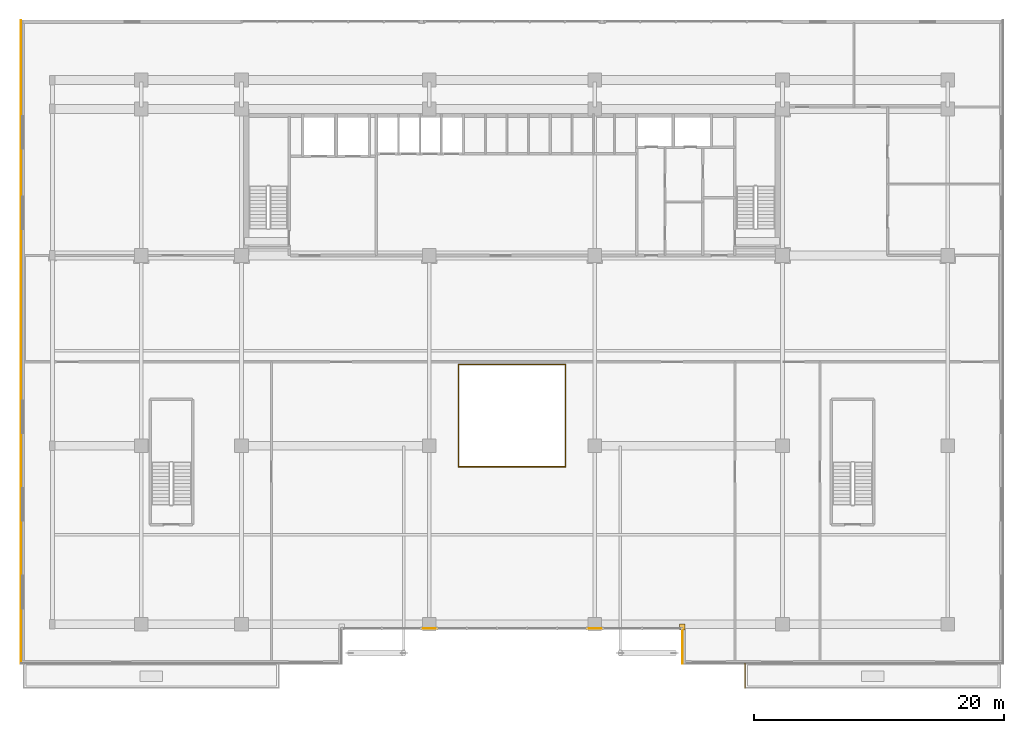
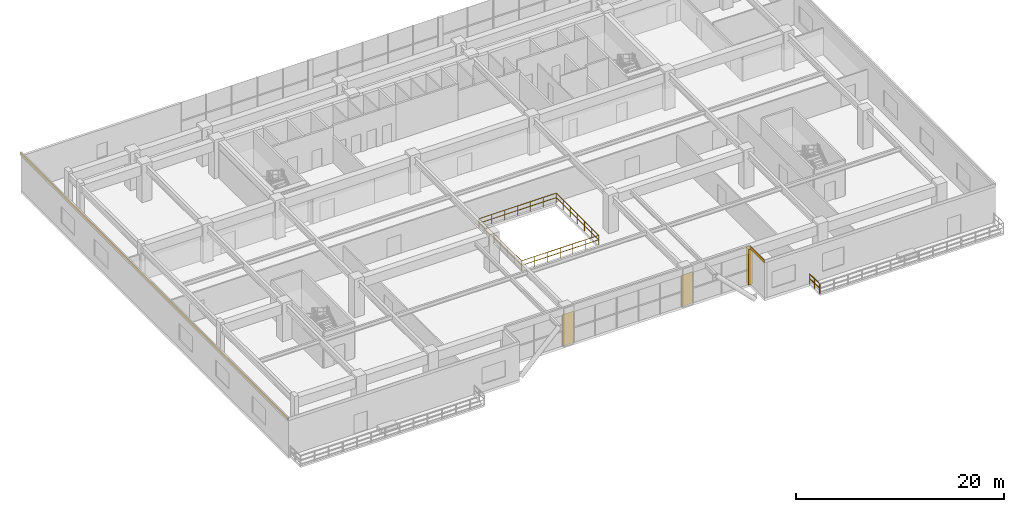
# One storey, part 20 of 24: 5 coverings, 5 railings.
"""IFC4 building model written with IfcOpenShell, lengths in metres."""

from ifc_helpers import new_model, si_unit, direction, frame, origin, origin_2d, place, context, subcontext, project, spatial, rectangle, extrude, source, transform, mapped, material, layer, layer_set, type_object, element, save


model = new_model("IFC4")

# Units and contexts
model_context = context("Model", 3, precision=1e-05, world=origin(), true_north=direction((0.0, 1.0)))
body_context = subcontext(model_context, "Body", "Model", "MODEL_VIEW")
ifc_project = project(units=[si_unit("LENGTHUNIT", "METRE"), si_unit("AREAUNIT", "SQUARE_METRE"), si_unit("VOLUMEUNIT", "CUBIC_METRE"), si_unit("PLANEANGLEUNIT", "RADIAN"), si_unit("MASSUNIT", "GRAM", prefix="KILO")], contexts=[model_context])

# Site, building, storey
site_placement = place(None, origin())
site = spatial("IfcSite", under=ifc_project, at=site_placement, CompositionType="ELEMENT")
building_placement = place(site_placement, origin())
building = spatial("IfcBuilding", under=site, at=building_placement, Name="Trelvane Seafront Commons", CompositionType="ELEMENT")
storey_placement = place(building_placement, frame((0.0, 0.0, 9.699951171875)))
storey = spatial("IfcBuildingStorey", under=building, at=storey_placement, Name="L02", CompositionType="ELEMENT", Elevation=9.699951171875)

# Railings
ifc_material_1 = material(Name="Stainless steel balustrade", Category="steel")
railing_type = type_object("IfcRailingType", Name="ARCH-RAIL-BAL1150", PredefinedType="BALUSTRADE", material=ifc_material_1)
railing_1_placement = place(storey_placement, frame((55.800048828125, 0.800048828125, 0.0)))
element("IfcRailing", 1, at=railing_1_placement, inside=storey, type_object=railing_type, Name="RL-L02-TR1-01", PredefinedType="BALUSTRADE", context=body_context, shape_type="SweptSolid", body=[
    extrude(rectangle(XDim=0.048095703125, YDim=0.048095703125, at=origin_2d()), frame((0.0, 0.0, 1.1259765625), z_axis=(0.0, -1.0, 0.0), x_axis=(1.0, 0.0, 0.0)), (0.0, 0.0, 1.0), 1.93994140625),
    extrude(rectangle(XDim=0.048095703125, YDim=0.048095703125, at=origin_2d()), frame((0.0, 0.0, 0.597900390625), z_axis=(0.0, -1.0, 0.0), x_axis=(1.0, 0.0, 0.0)), (0.0, 0.0, 1.0), 1.93994140625),
    extrude(rectangle(XDim=0.0419921875, YDim=0.0419921875, at=origin_2d()), origin(), (0.0, 0.0, 1.0), 1.1259765625),
    extrude(rectangle(XDim=0.0419921875, YDim=0.0419921875, at=origin_2d()), frame((0.0, -0.969970703125, 0.0)), (0.0, 0.0, 1.0), 1.1259765625),
    extrude(rectangle(XDim=0.0419921875, YDim=0.0419921875, at=origin_2d()), frame((0.0, -1.93994140625, 0.0)), (0.0, 0.0, 1.0), 1.1259765625),
])
railing_2_placement = place(storey_placement, frame((32.919921875, 16.52001953125, 0.0)))
element("IfcRailing", 2, at=railing_2_placement, inside=storey, type_object=railing_type, Name="RL-L02-ATR-01", PredefinedType="BALUSTRADE", context=body_context, shape_type="SweptSolid", body=[
    extrude(rectangle(XDim=0.048095703125, YDim=0.048095703125, at=origin_2d()), frame((0.0, 0.0, 1.1259765625), z_axis=(1.0, 0.0, 0.0), x_axis=(0.0, 1.0, 0.0)), (0.0, 0.0, 1.0), 8.56005859375),
    extrude(rectangle(XDim=0.048095703125, YDim=0.048095703125, at=origin_2d()), frame((0.0, 0.0, 0.597900390625), z_axis=(1.0, 0.0, 0.0), x_axis=(0.0, 1.0, 0.0)), (0.0, 0.0, 1.0), 8.56005859375),
    extrude(rectangle(XDim=0.0419921875, YDim=0.0419921875, at=origin_2d()), origin(), (0.0, 0.0, 1.0), 1.1259765625),
    extrude(rectangle(XDim=0.0419921875, YDim=0.0419921875, at=origin_2d()), frame((1.4267578125, 0.0, 0.0)), (0.0, 0.0, 1.0), 1.1259765625),
    extrude(rectangle(XDim=0.0419921875, YDim=0.0419921875, at=origin_2d()), frame((2.853271484375, 0.0, 0.0)), (0.0, 0.0, 1.0), 1.1259765625),
    extrude(rectangle(XDim=0.0419921875, YDim=0.0419921875, at=origin_2d()), frame((4.280029296875, 0.0, 0.0)), (0.0, 0.0, 1.0), 1.1259765625),
    extrude(rectangle(XDim=0.0419921875, YDim=0.0419921875, at=origin_2d()), frame((5.706787109375, 0.0, 0.0)), (0.0, 0.0, 1.0), 1.1259765625),
    extrude(rectangle(XDim=0.0419921875, YDim=0.0419921875, at=origin_2d()), frame((7.13330078125, 0.0, 0.0)), (0.0, 0.0, 1.0), 1.1259765625),
    extrude(rectangle(XDim=0.0419921875, YDim=0.0419921875, at=origin_2d()), frame((8.56005859375, 0.0, 0.0)), (0.0, 0.0, 1.0), 1.1259765625),
])
railing_3_placement = place(storey_placement, frame((41.47998046875, 16.52001953125, 0.0)))
element("IfcRailing", 3, at=railing_3_placement, inside=storey, type_object=railing_type, Name="RL-L02-ATR-02", PredefinedType="BALUSTRADE", context=body_context, shape_type="SweptSolid", body=[
    extrude(rectangle(XDim=0.048095703125, YDim=0.048095703125, at=origin_2d()), frame((0.0, 0.0, 1.1259765625), z_axis=(0.0, 1.0, 0.0), x_axis=(-1.0, 0.0, 0.0)), (0.0, 0.0, 1.0), 8.159912109375),
    extrude(rectangle(XDim=0.048095703125, YDim=0.048095703125, at=origin_2d()), frame((0.0, 0.0, 0.597900390625), z_axis=(0.0, 1.0, 0.0), x_axis=(-1.0, 0.0, 0.0)), (0.0, 0.0, 1.0), 8.159912109375),
    extrude(rectangle(XDim=0.0419921875, YDim=0.0419921875, at=origin_2d()), origin(), (0.0, 0.0, 1.0), 1.1259765625),
    extrude(rectangle(XDim=0.0419921875, YDim=0.0419921875, at=origin_2d()), frame((0.0, 1.35986328125, 0.0)), (0.0, 0.0, 1.0), 1.1259765625),
    extrude(rectangle(XDim=0.0419921875, YDim=0.0419921875, at=origin_2d()), frame((0.0, 2.719970703125, 0.0)), (0.0, 0.0, 1.0), 1.1259765625),
    extrude(rectangle(XDim=0.0419921875, YDim=0.0419921875, at=origin_2d()), frame((0.0, 4.080078125, 0.0)), (0.0, 0.0, 1.0), 1.1259765625),
    extrude(rectangle(XDim=0.0419921875, YDim=0.0419921875, at=origin_2d()), frame((0.0, 5.43994140625, 0.0)), (0.0, 0.0, 1.0), 1.1259765625),
    extrude(rectangle(XDim=0.0419921875, YDim=0.0419921875, at=origin_2d()), frame((0.0, 6.7998046875, 0.0)), (0.0, 0.0, 1.0), 1.1259765625),
    extrude(rectangle(XDim=0.0419921875, YDim=0.0419921875, at=origin_2d()), frame((0.0, 8.159912109375, 0.0)), (0.0, 0.0, 1.0), 1.1259765625),
])
railing_4_placement = place(storey_placement, frame((41.47998046875, 24.679931640625, 0.0)))
element("IfcRailing", 4, at=railing_4_placement, inside=storey, type_object=railing_type, Name="RL-L02-ATR-03", PredefinedType="BALUSTRADE", context=body_context, shape_type="SweptSolid", body=[
    extrude(rectangle(XDim=0.048095703125, YDim=0.048095703125, at=origin_2d()), frame((0.0, 0.0, 1.1259765625), z_axis=(-1.0, 0.0, 0.0), x_axis=(0.0, -1.0, 0.0)), (0.0, 0.0, 1.0), 8.56005859375),
    extrude(rectangle(XDim=0.048095703125, YDim=0.048095703125, at=origin_2d()), frame((0.0, 0.0, 0.597900390625), z_axis=(-1.0, 0.0, 0.0), x_axis=(0.0, -1.0, 0.0)), (0.0, 0.0, 1.0), 8.56005859375),
    extrude(rectangle(XDim=0.0419921875, YDim=0.0419921875, at=origin_2d()), origin(), (0.0, 0.0, 1.0), 1.1259765625),
    extrude(rectangle(XDim=0.0419921875, YDim=0.0419921875, at=origin_2d()), frame((-1.4267578125, 0.0, 0.0)), (0.0, 0.0, 1.0), 1.1259765625),
    extrude(rectangle(XDim=0.0419921875, YDim=0.0419921875, at=origin_2d()), frame((-2.853271484375, 0.0, 0.0)), (0.0, 0.0, 1.0), 1.1259765625),
    extrude(rectangle(XDim=0.0419921875, YDim=0.0419921875, at=origin_2d()), frame((-4.280029296875, 0.0, 0.0)), (0.0, 0.0, 1.0), 1.1259765625),
    extrude(rectangle(XDim=0.0419921875, YDim=0.0419921875, at=origin_2d()), frame((-5.706787109375, 0.0, 0.0)), (0.0, 0.0, 1.0), 1.1259765625),
    extrude(rectangle(XDim=0.0419921875, YDim=0.0419921875, at=origin_2d()), frame((-7.13330078125, 0.0, 0.0)), (0.0, 0.0, 1.0), 1.1259765625),
    extrude(rectangle(XDim=0.0419921875, YDim=0.0419921875, at=origin_2d()), frame((-8.56005859375, 0.0, 0.0)), (0.0, 0.0, 1.0), 1.1259765625),
])
railing_5_placement = place(storey_placement, frame((32.919921875, 24.679931640625, 0.0)))
element("IfcRailing", 5, at=railing_5_placement, inside=storey, type_object=railing_type, Name="RL-L02-ATR-04", PredefinedType="BALUSTRADE", context=body_context, shape_type="SweptSolid", body=[
    extrude(rectangle(XDim=0.048095703125, YDim=0.048095703125, at=origin_2d()), frame((0.0, 0.0, 1.1259765625), z_axis=(0.0, -1.0, 0.0), x_axis=(1.0, 0.0, 0.0)), (0.0, 0.0, 1.0), 8.159912109375),
    extrude(rectangle(XDim=0.048095703125, YDim=0.048095703125, at=origin_2d()), frame((0.0, 0.0, 0.597900390625), z_axis=(0.0, -1.0, 0.0), x_axis=(1.0, 0.0, 0.0)), (0.0, 0.0, 1.0), 8.159912109375),
    extrude(rectangle(XDim=0.0419921875, YDim=0.0419921875, at=origin_2d()), origin(), (0.0, 0.0, 1.0), 1.1259765625),
    extrude(rectangle(XDim=0.0419921875, YDim=0.0419921875, at=origin_2d()), frame((0.0, -1.35986328125, 0.0)), (0.0, 0.0, 1.0), 1.1259765625),
    extrude(rectangle(XDim=0.0419921875, YDim=0.0419921875, at=origin_2d()), frame((0.0, -2.719970703125, 0.0)), (0.0, 0.0, 1.0), 1.1259765625),
    extrude(rectangle(XDim=0.0419921875, YDim=0.0419921875, at=origin_2d()), frame((0.0, -4.080078125, 0.0)), (0.0, 0.0, 1.0), 1.1259765625),
    extrude(rectangle(XDim=0.0419921875, YDim=0.0419921875, at=origin_2d()), frame((0.0, -5.43994140625, 0.0)), (0.0, 0.0, 1.0), 1.1259765625),
    extrude(rectangle(XDim=0.0419921875, YDim=0.0419921875, at=origin_2d()), frame((0.0, -6.7998046875, 0.0)), (0.0, 0.0, 1.0), 1.1259765625),
    extrude(rectangle(XDim=0.0419921875, YDim=0.0419921875, at=origin_2d()), frame((0.0, -8.159912109375, 0.0)), (0.0, 0.0, 1.0), 1.1259765625),
])

# Coverings
ifc_material_2 = material(Name="Anodised pale-silver aluminium", Category="aluminium")
ifc_layer = layer(ifc_material_2, 0.034912109375, Name="ARCH-COV-CLAD35")
ifc_layer_set = layer_set([ifc_layer], Name="Anodised pale-silver aluminium")
covering_type = type_object("IfcCoveringType", Name="ARCH-COV-CLAD35", PredefinedType="CLADDING", material=ifc_layer_set)
shared_shape_1 = source(origin(), body_context, "Body", "SweptSolid", [
    extrude(rectangle(XDim=0.449951171875, YDim=0.5, at=origin_2d()), origin(), (0.0, 0.0, 1.0), 4.199951171875),
])
covering_1_placement = place(storey_placement, frame((50.800048828125, 3.719970703125, 0.0), z_axis=(0.0, 0.0, 1.0), x_axis=(1.0, 0.0, 0.0)))
element("IfcCovering", 6, at=covering_1_placement, inside=storey, type_object=covering_type, Name="CLD-VPC-L02-00018", PredefinedType="CLADDING", context=body_context, shape_type="MappedRepresentation", body=[
    mapped(shared_shape_1, transform((0.0, 0.0, 0.0), x_axis=(1.0, 0.0, 0.0), y_axis=(0.0, 1.0, 0.0), z_axis=(0.0, 0.0, 1.0), scale=1.0)),
])
shared_shape_2 = source(origin(), body_context, "Body", "SweptSolid", [
    extrude(rectangle(XDim=51.39990234375, YDim=0.034912109375, at=origin_2d()), origin(), (0.0, 0.0, 1.0), 0.340087890625),
])
covering_2_placement = place(storey_placement, frame((-2.0, 26.5, 4.16015625), z_axis=(0.0, 0.0, 1.0), x_axis=(0.0, 1.0, 0.0)))
element("IfcCovering", 7, at=covering_2_placement, inside=storey, type_object=covering_type, Name="CLD-L02-00022", PredefinedType="CLADDING", context=body_context, shape_type="MappedRepresentation", body=[
    mapped(shared_shape_2, transform((0.0, 0.0, 0.0), x_axis=(1.0, 0.0, 0.0), y_axis=(0.0, 1.0, 0.0), z_axis=(0.0, 0.0, 1.0), scale=1.0)),
])
shared_shape_3 = source(origin(), body_context, "Body", "SweptSolid", [
    extrude(rectangle(XDim=2.800048828125, YDim=0.034912109375, at=origin_2d()), origin(), (0.0, 0.0, 1.0), 0.340087890625),
])
covering_3_placement = place(storey_placement, frame((50.800048828125, 2.199951171875, 4.16015625), z_axis=(0.0, 0.0, 1.0), x_axis=(0.0, 1.0, 0.0)))
element("IfcCovering", 8, at=covering_3_placement, inside=storey, type_object=covering_type, Name="CLD-L02-00015", PredefinedType="CLADDING", context=body_context, shape_type="MappedRepresentation", body=[
    mapped(shared_shape_3, transform((0.0, 0.0, 0.0), x_axis=(1.0, 0.0, 0.0), y_axis=(0.0, 1.0, 0.0), z_axis=(0.0, 0.0, 1.0), scale=1.0)),
])
shared_shape_4 = source(origin(), body_context, "Body", "SweptSolid", [
    extrude(rectangle(XDim=1.199951171875, YDim=0.0400390625, at=origin_2d()), origin(), (0.0, 0.0, 1.0), 3.679931640625),
])
for number, where, z_axis, x_axis, name in (
    (9, (43.800048828125, 3.60009765625, 0.0), (0.0, 0.0, 1.0), (-1.0, 0.0, 0.0), "CLD-COL-L02-00016"),
    (10, (30.60009765625, 3.60009765625, 0.0), (0.0, 0.0, 1.0), (-1.0, 0.0, 0.0), "CLD-COL-L02-00017"),
):
    element("IfcCovering", number, at=place(storey_placement, frame(where, z_axis=z_axis, x_axis=x_axis)), inside=storey, type_object=covering_type, Name=name, PredefinedType="CLADDING", context=body_context, shape_type="MappedRepresentation", body=[
        mapped(shared_shape_4, transform((0.0, 0.0, 0.0), x_axis=(1.0, 0.0, 0.0), y_axis=(0.0, 1.0, 0.0), z_axis=(0.0, 0.0, 1.0), scale=1.0)),
    ])

save(model, "model.ifc")
